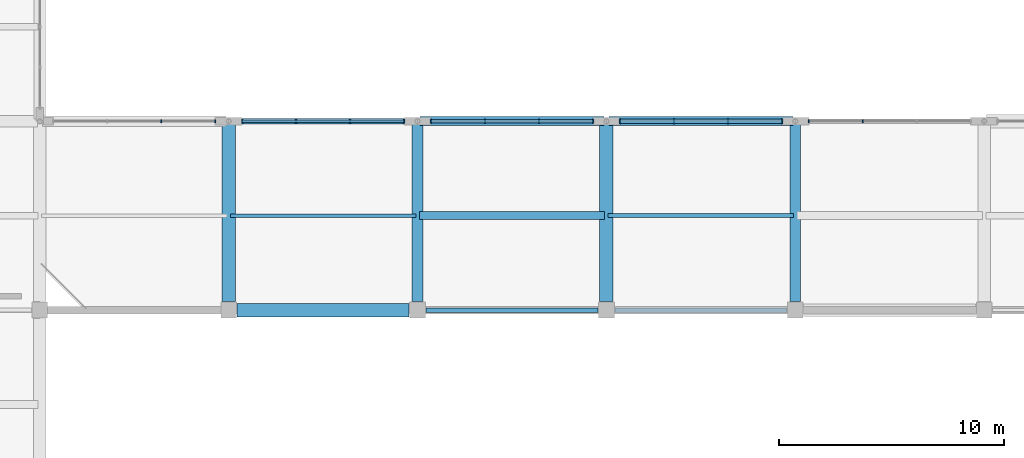
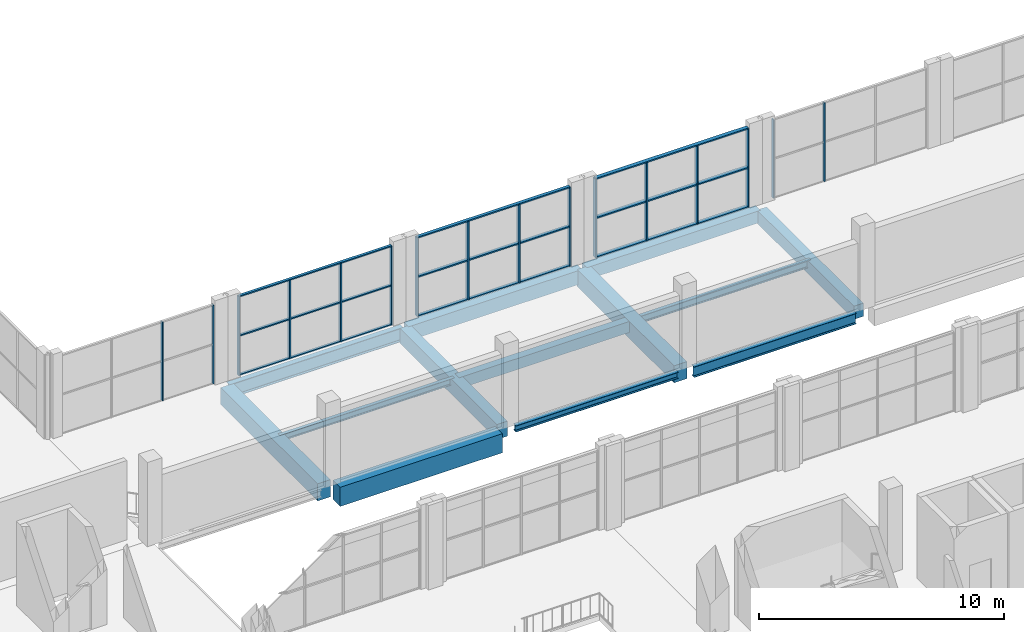
# One storey, part 23 of 59: 25 members, 13 beams, 5 elements without a shape of their own.
"""IFC4 building model written with IfcOpenShell, lengths in metres."""

from ifc_helpers import new_model, si_unit, derived_unit, direction, frame, origin, origin_2d, place, context, subcontext, project, spatial, rectangle, i_section, extrude, material, material_profile, profile_set, type_object, element, aggregate, save


model = new_model("IFC4")

# Units and contexts
model_context = context("Model", 3, precision=1e-05, world=origin(), true_north=direction((0.0, 1.0)))
body_context = subcontext(model_context, "Body", "Model", "MODEL_VIEW")
ifc_project = project(units=[si_unit("LENGTHUNIT", "METRE"), si_unit("AREAUNIT", "SQUARE_METRE"), si_unit("VOLUMEUNIT", "CUBIC_METRE"), si_unit("PLANEANGLEUNIT", "RADIAN"), si_unit("MASSUNIT", "GRAM", prefix="KILO"), derived_unit("THERMALTRANSMITTANCEUNIT", [(si_unit("POWERUNIT", "WATT"), 1), (si_unit("LENGTHUNIT", "METRE"), -2), (si_unit("THERMODYNAMICTEMPERATUREUNIT", "KELVIN"), -1)])], contexts=[model_context])

# Site, building, storey
site_placement = place(None, origin())
site = spatial("IfcSite", under=ifc_project, at=site_placement, CompositionType="ELEMENT")
building_placement = place(site_placement, origin())
building = spatial("IfcBuilding", under=site, at=building_placement, Name="Barrovel Congress Hotel", CompositionType="ELEMENT")
storey_placement = place(building_placement, frame((0.0, 0.0, 9.89990234375)))
storey = spatial("IfcBuildingStorey", under=building, at=storey_placement, Name="L02", CompositionType="ELEMENT", Elevation=9.89990234375)

# Beams
ifc_material_1 = material(Name="Concrete C40", Category="concrete")
ifc_material_profile_1 = material_profile(ifc_material_1, rectangle(XDim=0.35009765625, YDim=0.550048828125, at=origin_2d()), Name="RC350x550")
ifc_profile_set_1 = profile_set([ifc_material_profile_1], Name="Concrete C40")
beam_type_1 = type_object("IfcBeamType", Name="BM-RC350x550", PredefinedType="JOIST", material=ifc_profile_set_1)
beam_1_placement = place(storey_placement, frame((75.679931640625, 42.0, -0.534912109375), z_axis=(1.0, 0.0, 0.0), x_axis=(0.0, 1.0, 0.0)))
element("IfcBeam", 1, at=beam_1_placement, inside=storey, type_object=beam_type_1, Name="JST:L02:75.6:42.0", PredefinedType="JOIST", context=body_context, shape_type="SweptSolid", body=[
    extrude(rectangle(XDim=0.35009765625, YDim=0.550048828125, at=origin_2d()), origin(), (0.0, 0.0, 1.0), 8.239990234375),
])
ifc_material_profile_2 = material_profile(ifc_material_1, rectangle(XDim=0.39990234375, YDim=0.60009765625, at=origin_2d()), Name="RC400x600")
ifc_profile_set_2 = profile_set([ifc_material_profile_2], Name="Concrete C40")
beam_type_2 = type_object("IfcBeamType", Name="BM-RC400x600", PredefinedType="BEAM", material=ifc_profile_set_2)
beam_2_placement = place(storey_placement, frame((84.109619140625, 46.199951171875, -0.559814453125), z_axis=(1.0, 0.0, 0.0), x_axis=(0.0, 1.0, 0.0)))
element("IfcBeam", 2, at=beam_2_placement, inside=storey, type_object=beam_type_2, Name="BMX:L02:46.2:84.0-92.4", PredefinedType="BEAM", context=body_context, shape_type="SweptSolid", body=[
    extrude(rectangle(XDim=0.39990234375, YDim=0.60009765625, at=origin_2d()), origin(), (0.0, 0.0, 1.0), 8.180908203125),
])
ifc_material_profile_3 = material_profile(ifc_material_1, rectangle(XDim=0.39990234375, YDim=0.699951171875, at=origin_2d()), Name="RC400x700")
ifc_profile_set_3 = profile_set([ifc_material_profile_3], Name="Concrete C40")
beam_type_3 = type_object("IfcBeamType", Name="BM-RC400x700", PredefinedType="BEAM", material=ifc_profile_set_3)
beam_3_placement = place(storey_placement, frame((75.70947265625, 46.199951171875, -0.60986328125), z_axis=(1.0, 0.0, 0.0), x_axis=(0.0, 1.0, 0.0)))
element("IfcBeam", 3, at=beam_3_placement, inside=storey, type_object=beam_type_3, Name="BMX:L02:46.2:75.6-84.0", PredefinedType="BEAM", context=body_context, shape_type="SweptSolid", body=[
    extrude(rectangle(XDim=0.39990234375, YDim=0.699951171875, at=origin_2d()), origin(), (0.0, 0.0, 1.0), 8.180908203125),
])
ifc_material_profile_4 = material_profile(ifc_material_1, rectangle(XDim=0.449951171875, YDim=0.64990234375, at=origin_2d()), Name="RC450x650")
ifc_profile_set_4 = profile_set([ifc_material_profile_4], Name="Concrete C40")
beam_type_4 = type_object("IfcBeamType", Name="BM-RC450x650", PredefinedType="BEAM", material=ifc_profile_set_4)
beam_4_placement = place(storey_placement, frame((92.39990234375, 38.175048828125, -0.5849609375), z_axis=(0.0, 1.0, 0.0), x_axis=(-1.0, 0.0, 0.0)))
element("IfcBeam", 4, at=beam_4_placement, inside=storey, type_object=beam_type_4, Name="BMY:L02:92.4:37.8-46.2", PredefinedType="BEAM", context=body_context, shape_type="SweptSolid", body=[
    extrude(rectangle(XDim=0.449951171875, YDim=0.64990234375, at=origin_2d()), origin(), (0.0, 0.0, 1.0), 7.91552734375),
])
ifc_material_profile_5 = material_profile(ifc_material_1, rectangle(XDim=0.5, YDim=0.75, at=origin_2d()), Name="RC500x750")
ifc_profile_set_5 = profile_set([ifc_material_profile_5], Name="Concrete C40")
beam_type_5 = type_object("IfcBeamType", Name="BM-RC500x750", PredefinedType="BEAM", material=ifc_profile_set_5)
beam_5_placement = place(storey_placement, frame((75.60009765625, 38.175048828125, -0.635009765625), z_axis=(0.0, 1.0, 0.0), x_axis=(-1.0, 0.0, 0.0)))
element("IfcBeam", 5, at=beam_5_placement, inside=storey, type_object=beam_type_5, Name="BMY:L02:75.6:37.8-46.2", PredefinedType="BEAM", context=body_context, shape_type="SweptSolid", body=[
    extrude(rectangle(XDim=0.5, YDim=0.75, at=origin_2d()), origin(), (0.0, 0.0, 1.0), 7.91552734375),
])
ifc_material_profile_6 = material_profile(ifc_material_1, rectangle(XDim=0.60009765625, YDim=0.85009765625, at=origin_2d()), Name="RC600x850")
ifc_profile_set_6 = profile_set([ifc_material_profile_6], Name="Concrete C40")
beam_type_6 = type_object("IfcBeamType", Name="BM-RC600x850", PredefinedType="BEAM", material=ifc_profile_set_6)
for number, where, z_axis, x_axis, name in (
    (6, (67.199951171875, 38.175048828125, -0.684814453125), (0.0, 1.0, 0.0), (-1.0, 0.0, 0.0), "BMY:L02:67.2:37.8-46.2"),
    (7, (84.0, 38.175048828125, -0.684814453125), (0.0, 1.0, 0.0), (-1.0, 0.0, 0.0), "BMY:L02:84.0:37.8-46.2"),
):
    element("IfcBeam", number, at=place(storey_placement, frame(where, z_axis=z_axis, x_axis=x_axis)), inside=storey, type_object=beam_type_6, Name=name, PredefinedType="BEAM", context=body_context, shape_type="SweptSolid", body=[
        extrude(rectangle(XDim=0.60009765625, YDim=0.85009765625, at=origin_2d()), origin(), (0.0, 0.0, 1.0), 7.91552734375),
    ])
ifc_material_profile_7 = material_profile(ifc_material_1, rectangle(XDim=0.60009765625, YDim=0.949951171875, at=origin_2d()), Name="RC600x950")
ifc_profile_set_7 = profile_set([ifc_material_profile_7], Name="Concrete C40")
beam_type_7 = type_object("IfcBeamType", Name="BM-RC600x950", PredefinedType="BEAM", material=ifc_profile_set_7)
beam_6_placement = place(storey_placement, frame((67.574951171875, 37.800048828125, -0.73486328125), z_axis=(1.0, 0.0, 0.0), x_axis=(0.0, 1.0, 0.0)))
element("IfcBeam", 8, at=beam_6_placement, inside=storey, type_object=beam_type_7, Name="BMX:L02:37.8:67.2-75.6", PredefinedType="BEAM", context=body_context, shape_type="SweptSolid", body=[
    extrude(rectangle(XDim=0.60009765625, YDim=0.949951171875, at=origin_2d()), origin(), (0.0, 0.0, 1.0), 7.650146484375),
])

# Curtain wall, members
ifc_material_2 = material(Name="Anodised Aluminium Alloy 6063-T6", Category="aluminium")
curtain_wall_type = type_object("IfcCurtainWallType", Name="CW-ST-7200x3600", PredefinedType="USERDEFINED", material=ifc_material_2)
curtain_wall_1_placement = place(storey_placement, origin())
curtain_wall_1 = element("IfcCurtainWall", 9, at=curtain_wall_1_placement, inside=storey, type_object=curtain_wall_type, Name="CW:L02:CL:07", ObjectType="STICK CURTAIN WALL", PredefinedType="USERDEFINED")
ifc_material_profile_8 = material_profile(ifc_material_2, rectangle(XDim=0.06005859375, YDim=0.139892578125, at=origin_2d()), Name="AL-M60x140")
ifc_profile_set_8 = profile_set([ifc_material_profile_8], Name="Anodised Aluminium Alloy 6063-T6")
member_type_1 = type_object("IfcMemberType", Name="CWM-AL-M60x140", PredefinedType="MULLION", material=ifc_profile_set_8)
member_1_placement = place(storey_placement, frame((66.60009765625, 46.199951171875, 0.0), z_axis=(0.0, 0.0, 1.0), x_axis=(1.0, 0.0, 0.0)))
member_1 = element("IfcMember", 10, at=member_1_placement, type_object=member_type_1, Name="CW:L02:CL:07:M0", PredefinedType="MULLION", context=body_context, shape_type="SweptSolid", body=[
    extrude(rectangle(XDim=0.06005859375, YDim=0.139892578125, at=origin_2d()), origin(), (0.0, 0.0, 1.0), 3.920166015625),
])
member_2_placement = place(storey_placement, frame((64.199951171875, 46.199951171875, 0.0), z_axis=(0.0, 0.0, 1.0), x_axis=(1.0, 0.0, 0.0)))
member_2 = element("IfcMember", 11, at=member_2_placement, type_object=member_type_1, Name="CW:L02:CL:07:M1", PredefinedType="MULLION", context=body_context, shape_type="SweptSolid", body=[
    extrude(rectangle(XDim=0.06005859375, YDim=0.139892578125, at=origin_2d()), origin(), (0.0, 0.0, 1.0), 3.920166015625),
])
aggregate(curtain_wall_1, [member_1, member_2])

curtain_wall_2_placement = place(storey_placement, origin())
curtain_wall_2 = element("IfcCurtainWall", 12, at=curtain_wall_2_placement, inside=storey, type_object=curtain_wall_type, Name="CW:L02:CL:11", ObjectType="STICK CURTAIN WALL", PredefinedType="USERDEFINED")
member_3_placement = place(storey_placement, frame((95.39990234375, 46.199951171875, 0.0), z_axis=(0.0, 0.0, 1.0), x_axis=(1.0, 0.0, 0.0)))
member_3 = element("IfcMember", 13, at=member_3_placement, type_object=member_type_1, Name="CW:L02:CL:11:M2", PredefinedType="MULLION", context=body_context, shape_type="SweptSolid", body=[
    extrude(rectangle(XDim=0.06005859375, YDim=0.139892578125, at=origin_2d()), origin(), (0.0, 0.0, 1.0), 3.920166015625),
])
member_4_placement = place(storey_placement, frame((93.0, 46.199951171875, 0.0), z_axis=(0.0, 0.0, 1.0), x_axis=(1.0, 0.0, 0.0)))
member_4 = element("IfcMember", 14, at=member_4_placement, type_object=member_type_1, Name="CW:L02:CL:11:M3", PredefinedType="MULLION", context=body_context, shape_type="SweptSolid", body=[
    extrude(rectangle(XDim=0.06005859375, YDim=0.139892578125, at=origin_2d()), origin(), (0.0, 0.0, 1.0), 3.920166015625),
])
aggregate(curtain_wall_2, [member_3, member_4])

curtain_wall_3_placement = place(storey_placement, origin())
curtain_wall_3 = element("IfcCurtainWall", 15, at=curtain_wall_3_placement, inside=storey, type_object=curtain_wall_type, Name="CW:L02:CL:08", ObjectType="STICK CURTAIN WALL", PredefinedType="USERDEFINED")
ifc_material_profile_9 = material_profile(ifc_material_2, rectangle(XDim=0.06005859375, YDim=0.1650390625, at=origin_2d()), Name="AL-M60x165")
ifc_profile_set_9 = profile_set([ifc_material_profile_9], Name="Anodised Aluminium Alloy 6063-T6")
member_type_2 = type_object("IfcMemberType", Name="CWM-AL-M60x165", PredefinedType="MULLION", material=ifc_profile_set_9)
member_5_placement = place(storey_placement, frame((75.0, 46.199951171875, 0.0), z_axis=(0.0, 0.0, 1.0), x_axis=(1.0, 0.0, 0.0)))
member_5 = element("IfcMember", 16, at=member_5_placement, type_object=member_type_2, Name="CW:L02:CL:08:M0", PredefinedType="MULLION", context=body_context, shape_type="SweptSolid", body=[
    extrude(rectangle(XDim=0.06005859375, YDim=0.1650390625, at=origin_2d()), origin(), (0.0, 0.0, 1.0), 3.920166015625),
])
member_6_placement = place(storey_placement, frame((72.60009765625, 46.199951171875, 0.0), z_axis=(0.0, 0.0, 1.0), x_axis=(1.0, 0.0, 0.0)))
member_6 = element("IfcMember", 17, at=member_6_placement, type_object=member_type_2, Name="CW:L02:CL:08:M1", PredefinedType="MULLION", context=body_context, shape_type="SweptSolid", body=[
    extrude(rectangle(XDim=0.06005859375, YDim=0.1650390625, at=origin_2d()), origin(), (0.0, 0.0, 1.0), 3.920166015625),
])
member_7_placement = place(storey_placement, frame((70.199951171875, 46.199951171875, 0.0), z_axis=(0.0, 0.0, 1.0), x_axis=(1.0, 0.0, 0.0)))
member_7 = element("IfcMember", 18, at=member_7_placement, type_object=member_type_2, Name="CW:L02:CL:08:M2", PredefinedType="MULLION", context=body_context, shape_type="SweptSolid", body=[
    extrude(rectangle(XDim=0.06005859375, YDim=0.1650390625, at=origin_2d()), origin(), (0.0, 0.0, 1.0), 3.920166015625),
])
member_8_placement = place(storey_placement, frame((67.800048828125, 46.199951171875, 0.0), z_axis=(0.0, 0.0, 1.0), x_axis=(1.0, 0.0, 0.0)))
member_8 = element("IfcMember", 19, at=member_8_placement, type_object=member_type_2, Name="CW:L02:CL:08:M3", PredefinedType="MULLION", context=body_context, shape_type="SweptSolid", body=[
    extrude(rectangle(XDim=0.06005859375, YDim=0.1650390625, at=origin_2d()), origin(), (0.0, 0.0, 1.0), 3.920166015625),
])

curtain_wall_4_placement = place(storey_placement, origin())
curtain_wall_4 = element("IfcCurtainWall", 20, at=curtain_wall_4_placement, inside=storey, type_object=curtain_wall_type, Name="CW:L02:CL:09", ObjectType="STICK CURTAIN WALL", PredefinedType="USERDEFINED")
ifc_material_profile_10 = material_profile(ifc_material_2, rectangle(XDim=0.06494140625, YDim=0.18994140625, at=origin_2d()), Name="AL-M65x190")
ifc_profile_set_10 = profile_set([ifc_material_profile_10], Name="Anodised Aluminium Alloy 6063-T6")
member_type_3 = type_object("IfcMemberType", Name="CWM-AL-M65x190", PredefinedType="MULLION", material=ifc_profile_set_10)
member_9_placement = place(storey_placement, frame((83.39990234375, 46.199951171875, 0.0), z_axis=(0.0, 0.0, 1.0), x_axis=(1.0, 0.0, 0.0)))
member_9 = element("IfcMember", 21, at=member_9_placement, type_object=member_type_3, Name="CW:L02:CL:09:M0", PredefinedType="MULLION", context=body_context, shape_type="SweptSolid", body=[
    extrude(rectangle(XDim=0.06494140625, YDim=0.18994140625, at=origin_2d()), origin(), (0.0, 0.0, 1.0), 3.920166015625),
])
member_10_placement = place(storey_placement, frame((81.0, 46.199951171875, 0.0), z_axis=(0.0, 0.0, 1.0), x_axis=(1.0, 0.0, 0.0)))
member_10 = element("IfcMember", 22, at=member_10_placement, type_object=member_type_3, Name="CW:L02:CL:09:M1", PredefinedType="MULLION", context=body_context, shape_type="SweptSolid", body=[
    extrude(rectangle(XDim=0.06494140625, YDim=0.18994140625, at=origin_2d()), origin(), (0.0, 0.0, 1.0), 3.920166015625),
])
member_11_placement = place(storey_placement, frame((78.60009765625, 46.199951171875, 0.0), z_axis=(0.0, 0.0, 1.0), x_axis=(1.0, 0.0, 0.0)))
member_11 = element("IfcMember", 23, at=member_11_placement, type_object=member_type_3, Name="CW:L02:CL:09:M2", PredefinedType="MULLION", context=body_context, shape_type="SweptSolid", body=[
    extrude(rectangle(XDim=0.06494140625, YDim=0.18994140625, at=origin_2d()), origin(), (0.0, 0.0, 1.0), 3.920166015625),
])
member_12_placement = place(storey_placement, frame((76.199951171875, 46.199951171875, 0.0), z_axis=(0.0, 0.0, 1.0), x_axis=(1.0, 0.0, 0.0)))
member_12 = element("IfcMember", 24, at=member_12_placement, type_object=member_type_3, Name="CW:L02:CL:09:M3", PredefinedType="MULLION", context=body_context, shape_type="SweptSolid", body=[
    extrude(rectangle(XDim=0.06494140625, YDim=0.18994140625, at=origin_2d()), origin(), (0.0, 0.0, 1.0), 3.920166015625),
])

curtain_wall_5_placement = place(storey_placement, origin())
curtain_wall_5 = element("IfcCurtainWall", 25, at=curtain_wall_5_placement, inside=storey, type_object=curtain_wall_type, Name="CW:L02:CL:10", ObjectType="STICK CURTAIN WALL", PredefinedType="USERDEFINED")
ifc_material_profile_11 = material_profile(ifc_material_2, rectangle(XDim=0.06494140625, YDim=0.219970703125, at=origin_2d()), Name="AL-M65x220")
ifc_profile_set_11 = profile_set([ifc_material_profile_11], Name="Anodised Aluminium Alloy 6063-T6")
member_type_4 = type_object("IfcMemberType", Name="CWM-AL-M65x220", PredefinedType="MULLION", material=ifc_profile_set_11)
member_13_placement = place(storey_placement, frame((91.800048828125, 46.199951171875, 0.0), z_axis=(0.0, 0.0, 1.0), x_axis=(1.0, 0.0, 0.0)))
member_13 = element("IfcMember", 26, at=member_13_placement, type_object=member_type_4, Name="CW:L02:CL:10:M0", PredefinedType="MULLION", context=body_context, shape_type="SweptSolid", body=[
    extrude(rectangle(XDim=0.06494140625, YDim=0.219970703125, at=origin_2d()), origin(), (0.0, 0.0, 1.0), 3.920166015625),
])
member_14_placement = place(storey_placement, frame((89.39990234375, 46.199951171875, 0.0), z_axis=(0.0, 0.0, 1.0), x_axis=(1.0, 0.0, 0.0)))
member_14 = element("IfcMember", 27, at=member_14_placement, type_object=member_type_4, Name="CW:L02:CL:10:M1", PredefinedType="MULLION", context=body_context, shape_type="SweptSolid", body=[
    extrude(rectangle(XDim=0.06494140625, YDim=0.219970703125, at=origin_2d()), origin(), (0.0, 0.0, 1.0), 3.920166015625),
])
member_15_placement = place(storey_placement, frame((87.0, 46.199951171875, 0.0), z_axis=(0.0, 0.0, 1.0), x_axis=(1.0, 0.0, 0.0)))
member_15 = element("IfcMember", 28, at=member_15_placement, type_object=member_type_4, Name="CW:L02:CL:10:M2", PredefinedType="MULLION", context=body_context, shape_type="SweptSolid", body=[
    extrude(rectangle(XDim=0.06494140625, YDim=0.219970703125, at=origin_2d()), origin(), (0.0, 0.0, 1.0), 3.920166015625),
])
member_16_placement = place(storey_placement, frame((84.60009765625, 46.199951171875, 0.0), z_axis=(0.0, 0.0, 1.0), x_axis=(1.0, 0.0, 0.0)))
member_16 = element("IfcMember", 29, at=member_16_placement, type_object=member_type_4, Name="CW:L02:CL:10:M3", PredefinedType="MULLION", context=body_context, shape_type="SweptSolid", body=[
    extrude(rectangle(XDim=0.06494140625, YDim=0.219970703125, at=origin_2d()), origin(), (0.0, 0.0, 1.0), 3.920166015625),
])

# Member
ifc_material_profile_12 = material_profile(ifc_material_2, rectangle(XDim=0.125, YDim=0.06005859375, at=origin_2d()), Name="AL-T60x125")
ifc_profile_set_12 = profile_set([ifc_material_profile_12], Name="Anodised Aluminium Alloy 6063-T6")
member_type_5 = type_object("IfcMemberType", Name="CWT-AL-T60x125", PredefinedType="USERDEFINED", material=ifc_profile_set_12)
member_17_placement = place(storey_placement, frame((75.0, 46.199951171875, 0.0), z_axis=(-1.0, 0.0, 0.0), x_axis=(0.0, -1.0, 0.0)))
member_17 = element("IfcMember", 30, at=member_17_placement, type_object=member_type_5, Name="CW:L02:CL:08:T0", ObjectType="TRANSOM", PredefinedType="USERDEFINED", context=body_context, shape_type="SweptSolid", body=[
    extrude(rectangle(XDim=0.125, YDim=0.06005859375, at=origin_2d()), origin(), (0.0, 0.0, 1.0), 7.199951171875),
])

member_18_placement = place(storey_placement, frame((75.0, 46.199951171875, 1.960205078125), z_axis=(-1.0, 0.0, 0.0), x_axis=(0.0, -1.0, 0.0)))
member_18 = element("IfcMember", 31, at=member_18_placement, type_object=member_type_5, Name="CW:L02:CL:08:T1", ObjectType="TRANSOM", PredefinedType="USERDEFINED", context=body_context, shape_type="SweptSolid", body=[
    extrude(rectangle(XDim=0.125, YDim=0.06005859375, at=origin_2d()), origin(), (0.0, 0.0, 1.0), 7.199951171875),
])

member_19_placement = place(storey_placement, frame((75.0, 46.199951171875, 3.920166015625), z_axis=(-1.0, 0.0, 0.0), x_axis=(0.0, -1.0, 0.0)))
member_19 = element("IfcMember", 32, at=member_19_placement, type_object=member_type_5, Name="CW:L02:CL:08:T2", ObjectType="TRANSOM", PredefinedType="USERDEFINED", context=body_context, shape_type="SweptSolid", body=[
    extrude(rectangle(XDim=0.125, YDim=0.06005859375, at=origin_2d()), origin(), (0.0, 0.0, 1.0), 7.199951171875),
])

aggregate(curtain_wall_3, [member_5, member_6, member_7, member_8, member_17, member_18, member_19])

ifc_material_profile_13 = material_profile(ifc_material_2, rectangle(XDim=0.14990234375, YDim=0.06494140625, at=origin_2d()), Name="AL-T65x150")
ifc_profile_set_13 = profile_set([ifc_material_profile_13], Name="Anodised Aluminium Alloy 6063-T6")
member_type_6 = type_object("IfcMemberType", Name="CWT-AL-T65x150", PredefinedType="USERDEFINED", material=ifc_profile_set_13)
member_20_placement = place(storey_placement, frame((83.39990234375, 46.199951171875, 0.0), z_axis=(-1.0, 0.0, 0.0), x_axis=(0.0, -1.0, 0.0)))
member_20 = element("IfcMember", 33, at=member_20_placement, type_object=member_type_6, Name="CW:L02:CL:09:T0", ObjectType="TRANSOM", PredefinedType="USERDEFINED", context=body_context, shape_type="SweptSolid", body=[
    extrude(rectangle(XDim=0.14990234375, YDim=0.06494140625, at=origin_2d()), origin(), (0.0, 0.0, 1.0), 7.199951171875),
])

member_21_placement = place(storey_placement, frame((83.39990234375, 46.199951171875, 1.960205078125), z_axis=(-1.0, 0.0, 0.0), x_axis=(0.0, -1.0, 0.0)))
member_21 = element("IfcMember", 34, at=member_21_placement, type_object=member_type_6, Name="CW:L02:CL:09:T1", ObjectType="TRANSOM", PredefinedType="USERDEFINED", context=body_context, shape_type="SweptSolid", body=[
    extrude(rectangle(XDim=0.14990234375, YDim=0.06494140625, at=origin_2d()), origin(), (0.0, 0.0, 1.0), 7.199951171875),
])

member_22_placement = place(storey_placement, frame((83.39990234375, 46.199951171875, 3.920166015625), z_axis=(-1.0, 0.0, 0.0), x_axis=(0.0, -1.0, 0.0)))
member_22 = element("IfcMember", 35, at=member_22_placement, type_object=member_type_6, Name="CW:L02:CL:09:T2", ObjectType="TRANSOM", PredefinedType="USERDEFINED", context=body_context, shape_type="SweptSolid", body=[
    extrude(rectangle(XDim=0.14990234375, YDim=0.06494140625, at=origin_2d()), origin(), (0.0, 0.0, 1.0), 7.199951171875),
])

aggregate(curtain_wall_4, [member_9, member_10, member_11, member_12, member_20, member_21, member_22])

ifc_material_profile_14 = material_profile(ifc_material_2, rectangle(XDim=0.179931640625, YDim=0.06494140625, at=origin_2d()), Name="AL-T65x180")
ifc_profile_set_14 = profile_set([ifc_material_profile_14], Name="Anodised Aluminium Alloy 6063-T6")
member_type_7 = type_object("IfcMemberType", Name="CWT-AL-T65x180", PredefinedType="USERDEFINED", material=ifc_profile_set_14)
member_23_placement = place(storey_placement, frame((91.800048828125, 46.199951171875, 0.0), z_axis=(-1.0, 0.0, 0.0), x_axis=(0.0, -1.0, 0.0)))
member_23 = element("IfcMember", 36, at=member_23_placement, type_object=member_type_7, Name="CW:L02:CL:10:T0", ObjectType="TRANSOM", PredefinedType="USERDEFINED", context=body_context, shape_type="SweptSolid", body=[
    extrude(rectangle(XDim=0.179931640625, YDim=0.06494140625, at=origin_2d()), origin(), (0.0, 0.0, 1.0), 7.199951171875),
])

member_24_placement = place(storey_placement, frame((91.800048828125, 46.199951171875, 1.960205078125), z_axis=(-1.0, 0.0, 0.0), x_axis=(0.0, -1.0, 0.0)))
member_24 = element("IfcMember", 37, at=member_24_placement, type_object=member_type_7, Name="CW:L02:CL:10:T1", ObjectType="TRANSOM", PredefinedType="USERDEFINED", context=body_context, shape_type="SweptSolid", body=[
    extrude(rectangle(XDim=0.179931640625, YDim=0.06494140625, at=origin_2d()), origin(), (0.0, 0.0, 1.0), 7.199951171875),
])

member_25_placement = place(storey_placement, frame((91.800048828125, 46.199951171875, 3.920166015625), z_axis=(-1.0, 0.0, 0.0), x_axis=(0.0, -1.0, 0.0)))
member_25 = element("IfcMember", 38, at=member_25_placement, type_object=member_type_7, Name="CW:L02:CL:10:T2", ObjectType="TRANSOM", PredefinedType="USERDEFINED", context=body_context, shape_type="SweptSolid", body=[
    extrude(rectangle(XDim=0.179931640625, YDim=0.06494140625, at=origin_2d()), origin(), (0.0, 0.0, 1.0), 7.199951171875),
])

aggregate(curtain_wall_5, [member_13, member_14, member_15, member_16, member_23, member_24, member_25])

# Beams
ifc_material_3 = material(Name="Steel ASTM A992 Grade 50", Category="steel")
ifc_material_profile_15 = material_profile(ifc_material_3, i_section(OverallWidth=0.1650390625, OverallDepth=0.31005859375, WebThickness=0.005859375, FlangeThickness=0.009765625, FilletRadius=0.010986328125, at=origin_2d()), Name="W310x39")
ifc_profile_set_15 = profile_set([ifc_material_profile_15], Name="Steel ASTM A992 Grade 50")
beam_type_8 = type_object("IfcBeamType", Name="SBM-W310x39", PredefinedType="JOIST", material=ifc_profile_set_15)
beam_7_placement = place(storey_placement, frame((67.280029296875, 42.0, -0.414794921875), z_axis=(1.0, 0.0, 0.0), x_axis=(0.0, 1.0, 0.0)))
element("IfcBeam", 39, at=beam_7_placement, inside=storey, type_object=beam_type_8, Name="JST:L02:67.2:42.0", PredefinedType="JOIST", context=body_context, shape_type="SweptSolid", body=[
    extrude(i_section(OverallWidth=0.1650390625, OverallDepth=0.31005859375, WebThickness=0.005859375, FlangeThickness=0.009765625, FilletRadius=0.010986328125, at=origin_2d()), origin(), (0.0, 0.0, 1.0), 8.239990234375),
])
ifc_material_profile_16 = material_profile(ifc_material_3, i_section(OverallWidth=0.205078125, OverallDepth=0.31005859375, WebThickness=0.009521484375, FlangeThickness=0.016357421875, FilletRadius=0.012939453125, at=origin_2d()), Name="W310x74")
ifc_profile_set_16 = profile_set([ifc_material_profile_16], Name="Steel ASTM A992 Grade 50")
beam_type_9 = type_object("IfcBeamType", Name="SBM-W310x74", PredefinedType="SPANDREL", material=ifc_profile_set_16)
beam_8_placement = place(storey_placement, frame((75.97509765625, 37.800048828125, -0.414794921875), z_axis=(1.0, 0.0, 0.0), x_axis=(0.0, 1.0, 0.0)))
element("IfcBeam", 40, at=beam_8_placement, inside=storey, type_object=beam_type_9, Name="BMX:L02:37.8:75.6-84.0", PredefinedType="SPANDREL", context=body_context, shape_type="SweptSolid", body=[
    extrude(i_section(OverallWidth=0.205078125, OverallDepth=0.31005859375, WebThickness=0.009521484375, FlangeThickness=0.016357421875, FilletRadius=0.012939453125, at=origin_2d()), origin(), (0.0, 0.0, 1.0), 7.64990234375),
])
ifc_material_profile_17 = material_profile(ifc_material_3, i_section(OverallWidth=0.172119140625, OverallDepth=0.35791015625, WebThickness=0.0078125, FlangeThickness=0.01318359375, FilletRadius=0.011962890625, at=origin_2d()), Name="W360x57")
ifc_profile_set_17 = profile_set([ifc_material_profile_17], Name="Steel ASTM A992 Grade 50")
beam_type_10 = type_object("IfcBeamType", Name="SBM-W360x57", PredefinedType="JOIST", material=ifc_profile_set_17)
beam_9_placement = place(storey_placement, frame((84.080078125, 42.0, -0.43896484375), z_axis=(1.0, 0.0, 0.0), x_axis=(0.0, 1.0, 0.0)))
element("IfcBeam", 41, at=beam_9_placement, inside=storey, type_object=beam_type_10, Name="JST:L02:84.0:42.0", PredefinedType="JOIST", context=body_context, shape_type="SweptSolid", body=[
    extrude(i_section(OverallWidth=0.172119140625, OverallDepth=0.35791015625, WebThickness=0.0078125, FlangeThickness=0.01318359375, FilletRadius=0.011962890625, at=origin_2d()), origin(), (0.0, 0.0, 1.0), 8.239990234375),
])
ifc_material_profile_18 = material_profile(ifc_material_3, i_section(OverallWidth=0.208984375, OverallDepth=0.532958984375, WebThickness=0.01025390625, FlangeThickness=0.015625, FilletRadius=0.013916015625, at=origin_2d()), Name="W530x92")
ifc_profile_set_18 = profile_set([ifc_material_profile_18], Name="Steel ASTM A992 Grade 50")
beam_type_11 = type_object("IfcBeamType", Name="SBM-W530x92", PredefinedType="BEAM", material=ifc_profile_set_18)
beam_10_placement = place(storey_placement, frame((84.375, 37.800048828125, -0.5263671875), z_axis=(1.0, 0.0, 0.0), x_axis=(0.0, 1.0, 0.0)))
element("IfcBeam", 42, at=beam_10_placement, inside=storey, type_object=beam_type_11, Name="BMX:L02:37.8:84.0-92.4", PredefinedType="BEAM", context=body_context, shape_type="SweptSolid", body=[
    extrude(i_section(OverallWidth=0.208984375, OverallDepth=0.532958984375, WebThickness=0.01025390625, FlangeThickness=0.015625, FilletRadius=0.013916015625, at=origin_2d()), origin(), (0.0, 0.0, 1.0), 7.64990234375),
])
ifc_material_profile_19 = material_profile(ifc_material_3, i_section(OverallWidth=0.25390625, OverallDepth=0.68408203125, WebThickness=0.012451171875, FlangeThickness=0.01904296875, FilletRadius=0.014892578125, at=origin_2d()), Name="W690x140")
ifc_profile_set_19 = profile_set([ifc_material_profile_19], Name="Steel ASTM A992 Grade 50")
beam_type_12 = type_object("IfcBeamType", Name="SBM-W690x140", PredefinedType="BEAM", material=ifc_profile_set_19)
beam_11_placement = place(storey_placement, frame((67.3095703125, 46.199951171875, -0.601806640625), z_axis=(1.0, 0.0, 0.0), x_axis=(0.0, 1.0, 0.0)))
element("IfcBeam", 43, at=beam_11_placement, inside=storey, type_object=beam_type_12, Name="BMX:L02:46.2:67.2-75.6", PredefinedType="BEAM", context=body_context, shape_type="SweptSolid", body=[
    extrude(i_section(OverallWidth=0.25390625, OverallDepth=0.68408203125, WebThickness=0.012451171875, FlangeThickness=0.01904296875, FilletRadius=0.014892578125, at=origin_2d()), origin(), (0.0, 0.0, 1.0), 8.180908203125),
])

save(model, "model.ifc")
